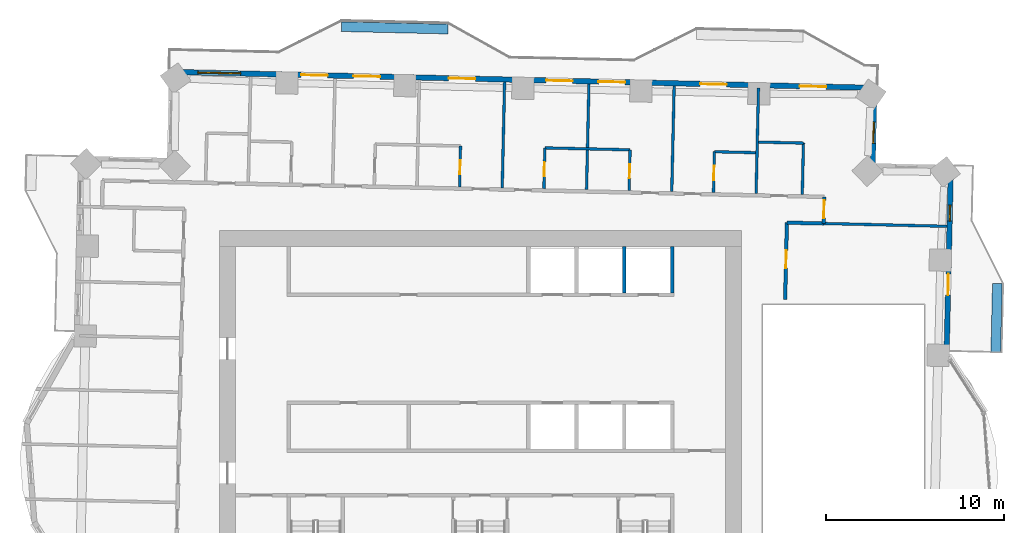
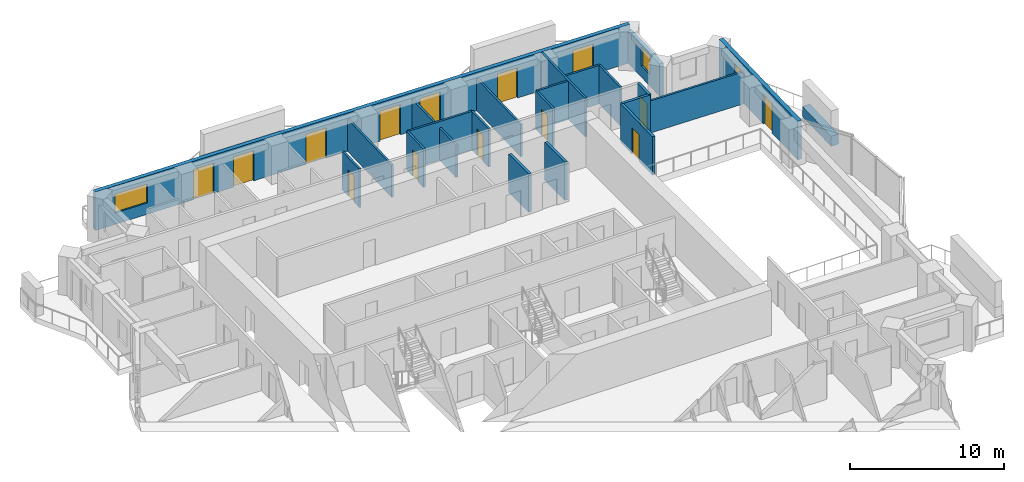
# One storey, part 9 of 14: 23 walls, 14 doors, 3 windows, 17 openings.
"""IFC4 building model written with IfcOpenShell, lengths in metres."""

from ifc_helpers import new_model, si_unit, direction, frame, frame_2d, origin, place, context, subcontext, project, spatial, rectangle, extrude, material, layer, layer_set, type_object, element, fill, save


model = new_model("IFC4")

# Units and contexts
model_context = context("Model", 3, precision=1e-05, world=origin(), true_north=direction((0.0, 1.0)))
body_context = subcontext(model_context, "Body", "Model", "MODEL_VIEW")
ifc_project = project(units=[si_unit("LENGTHUNIT", "METRE"), si_unit("AREAUNIT", "SQUARE_METRE"), si_unit("VOLUMEUNIT", "CUBIC_METRE"), si_unit("PLANEANGLEUNIT", "RADIAN"), si_unit("MASSUNIT", "GRAM", prefix="KILO")], contexts=[model_context])

# Site, building, storey
site_placement = place(None, origin())
site = spatial("IfcSite", under=ifc_project, at=site_placement, CompositionType="ELEMENT")
building_placement = place(site_placement, origin())
building = spatial("IfcBuilding", under=site, at=building_placement, Name="Mangrove Gate Tower", CompositionType="ELEMENT")
storey_placement = place(building_placement, frame((0.0, 0.0, 159.89990234375)))
storey = spatial("IfcBuildingStorey", under=building, at=storey_placement, Name="L40", CompositionType="ELEMENT", Elevation=159.89990234375)

# Walls
ifc_material_1 = material(Name="Concrete C60/75", Category="concrete")
ifc_layer_1 = layer(ifc_material_1, 0.199951171875)
ifc_layer_set_1 = layer_set([ifc_layer_1], Name="Core shaft wall 200 C60/75")
wall_type_1 = type_object("IfcWallType", Name="Core shaft wall 200 C60/75", PredefinedType="SHEAR", material=ifc_layer_set_1)
for number, where, z_axis, x_axis, name in (
    (1, (8.10009765625, 8.199951171875, 0.0), (0.0, 0.0, 1.0), (0.0, 1.0, 0.0), "WALL-L40-CORE-28"),
    (2, (10.800048828125, 8.199951171875, 0.0), (0.0, 0.0, 1.0), (0.0, 1.0, 0.0), "WALL-L40-CORE-29"),
):
    element("IfcWall", number, at=place(storey_placement, frame(where, z_axis=z_axis, x_axis=x_axis)), inside=storey, type_object=wall_type_1, Name=name, PredefinedType="SHEAR", context=body_context, shape_type="SweptSolid", body=[
        extrude(rectangle(XDim=2.60009765625, YDim=0.199951171875, at=frame_2d((1.300048828125, 0.0))), origin(), (0.0, 0.0, 1.0), 3.050048828125),
    ])

# Wall, opening, door
ifc_material_2 = material(Name="Gypsum board on steel stud, EI 60", Category="steel")
ifc_layer_2 = layer(ifc_material_2, 0.199951171875)
ifc_layer_set_2 = layer_set([ifc_layer_2], Name="Corridor wall EI 60")
wall_type_2 = type_object("IfcWallType", Name="Corridor wall EI 60", PredefinedType="PARTITIONING", material=ifc_layer_set_2)
wall_1_placement = place(storey_placement, frame((17.14892578125, 7.83203125, 0.0), z_axis=(0.0, 0.0, 1.0), x_axis=(0.022729111383, 0.999741660378, 0.0)))
wall_1 = element("IfcWall", 3, at=wall_1_placement, inside=storey, type_object=wall_type_2, Name="WALL-L40-048", PredefinedType="PARTITIONING", context=body_context, shape_type="SweptSolid", body=[
    extrude(rectangle(XDim=4.318115234375, YDim=0.199951171875, at=frame_2d((2.1591796875, 0.0))), origin(), (0.0, 0.0, 1.0), 3.050048828125),
])
opening_1_placement = place(wall_1_placement, frame((1.760986328125, 0.0, 0.0)))
opening_1 = element("IfcOpeningElement", 4, at=opening_1_placement, cuts=wall_1, Name="Opening AD", PredefinedType="OPENING", context=body_context, shape_type="SweptSolid", body=[
    extrude(rectangle(XDim=1.0, YDim=2.10009765625, at=frame_2d((0.5, 1.050048828125))), frame((0.0, 0.10986328125, 0.0), z_axis=(0.0, -1.0, 0.0), x_axis=(1.0, 0.0, 0.0)), (0.0, 0.0, 1.0), 0.219970703125),
])
ifc_material_3 = material(Name="Timber door leaf", Category="wood")
door_type_1 = type_object("IfcDoorType", Name="Amenity door 1000", OperationType="SINGLE_SWING_LEFT", PredefinedType="DOOR", material=ifc_material_3)
door_1_placement = place(opening_1_placement, origin())
door_1 = element("IfcDoor", 5, at=door_1_placement, inside=storey, type_object=door_type_1, Name="DOOR-L40-LNG-c3a", OperationType="SINGLE_SWING_RIGHT", OverallHeight=2.10009765625, OverallWidth=1.0, PredefinedType="DOOR", context=body_context, shape_type="SweptSolid", body=[
    extrude(rectangle(XDim=1.0, YDim=2.10009765625, at=frame_2d((0.5, 1.050048828125))), frame((0.0, 0.02490234375, 0.0), z_axis=(0.0, -1.0, 0.0), x_axis=(1.0, 0.0, 0.0)), (0.0, 0.0, 1.0), 0.050048828125),
])
fill(opening_1, door_1)

# Wall
wall_2_placement = place(storey_placement, frame((17.248046875, 12.14892578125, 0.0), z_axis=(0.0, 0.0, 1.0), x_axis=(0.999742931749, -0.02267312106, 0.0)))
element("IfcWall", 6, at=wall_2_placement, inside=storey, type_object=wall_type_2, Name="WALL-L40-054", PredefinedType="PARTITIONING", context=body_context, shape_type="SweptSolid", body=[
    extrude(rectangle(XDim=2.0673828125, YDim=0.199951171875, at=frame_2d((1.03369140625, 0.0))), origin(), (0.0, 0.0, 1.0), 3.050048828125),
])

# Wall, opening, door
wall_3_placement = place(storey_placement, frame((19.31689453125, 12.10205078125, 0.0), z_axis=(0.0, 0.0, 1.0), x_axis=(0.02279537805, 0.999740151609, 0.0)))
wall_3 = element("IfcWall", 7, at=wall_3_placement, inside=storey, type_object=wall_type_2, Name="WALL-L40-056", PredefinedType="PARTITIONING", context=body_context, shape_type="SweptSolid", body=[
    extrude(rectangle(XDim=1.49951171875, YDim=0.199951171875, at=frame_2d((0.749755859375, 0.0))), origin(), (0.0, 0.0, 1.0), 3.050048828125),
])
opening_2_placement = place(wall_3_placement, frame((0.300048828125, 0.0, 0.0)))
opening_2 = element("IfcOpeningElement", 8, at=opening_2_placement, cuts=wall_3, Name="Opening AD", PredefinedType="OPENING", context=body_context, shape_type="SweptSolid", body=[
    extrude(rectangle(XDim=1.0, YDim=2.10009765625, at=frame_2d((0.5, 1.050048828125))), frame((0.0, 0.10986328125, 0.0), z_axis=(0.0, -1.0, 0.0), x_axis=(1.0, 0.0, 0.0)), (0.0, 0.0, 1.0), 0.219970703125),
])
door_2_placement = place(opening_2_placement, origin())
door_2 = element("IfcDoor", 9, at=door_2_placement, inside=storey, type_object=door_type_1, Name="DOOR-L40-GAM-c3a", OperationType="SINGLE_SWING_LEFT", OverallHeight=2.10009765625, OverallWidth=1.0, PredefinedType="DOOR", context=body_context, shape_type="SweptSolid", body=[
    extrude(rectangle(XDim=1.0, YDim=2.10009765625, at=frame_2d((0.5, 1.050048828125))), frame((0.0, 0.02490234375, 0.0), z_axis=(0.0, -1.0, 0.0), x_axis=(1.0, 0.0, 0.0)), (0.0, 0.0, 1.0), 0.050048828125),
])
fill(opening_2, door_2)

# Wall, openings, door, window
ifc_material_4 = material(Name="Limestone", Category="masonry")
ifc_layer_3 = layer(ifc_material_4, 0.0400390625, Name="Limestone cladding")
ifc_material_5 = material(Name="Ventilated air gap")
ifc_layer_4 = layer(ifc_material_5, 0.0400390625, Name="Ventilated cavity")
ifc_material_6 = material(Name="Mineral wool insulation")
ifc_layer_5 = layer(ifc_material_6, 0.06005859375, Name="Insulation")
ifc_material_7 = material(Name="Breather membrane")
ifc_layer_6 = layer(ifc_material_7, 0.001953125, Name="Breather membrane")
ifc_material_8 = material(Name="Concrete C20/25 blockwork", Category="masonry")
ifc_layer_7 = layer(ifc_material_8, 0.14990234375, Name="Blockwork backing wall")
ifc_material_9 = material(Name="Gypsum plaster")
ifc_layer_8 = layer(ifc_material_9, 0.008056640625, Name="Internal plaster")
ifc_layer_set_3 = layer_set([ifc_layer_3, ifc_layer_4, ifc_layer_5, ifc_layer_6, ifc_layer_7, ifc_layer_8], Name="External wall 300 limestone cladding")
wall_type_3 = type_object("IfcWallType", Name="External wall 300 limestone cladding", PredefinedType="SOLIDWALL", material=ifc_layer_set_3)
wall_4_placement = place(storey_placement, frame((26.238037109375, 4.613037109375, 0.0), z_axis=(0.0, 0.0, 1.0), x_axis=(0.022761056451, 0.999740933597, 0.0)))
wall_4 = element("IfcWall", 10, at=wall_4_placement, inside=storey, type_object=wall_type_3, Name="WALL-L40-E2", PredefinedType="SOLIDWALL", context=body_context, shape_type="SweptSolid", body=[
    extrude(rectangle(XDim=10.629638671875, YDim=0.300048828125, at=frame_2d((5.31494140625, 0.0))), origin(), (0.0, 0.0, 1.0), 3.050048828125),
])
opening_3_placement = place(wall_4_placement, frame((3.452880859375, 0.0, 0.0)))
opening_3 = element("IfcOpeningElement", 11, at=opening_3_placement, cuts=wall_4, Name="Opening BD2", PredefinedType="OPENING", context=body_context, shape_type="SweptSolid", body=[
    extrude(rectangle(XDim=1.199951171875, YDim=2.39990234375, at=frame_2d((0.60009765625, 1.199951171875))), frame((0.0, 0.159912109375, 0.0), z_axis=(0.0, -1.0, 0.0), x_axis=(1.0, 0.0, 0.0)), (0.0, 0.0, 1.0), 0.320068359375),
])
opening_4_placement = place(wall_4_placement, frame((7.62890625, 0.0, 0.89990234375)))
opening_4 = element("IfcOpeningElement", 12, at=opening_4_placement, cuts=wall_4, Name="Opening W5", PredefinedType="OPENING", context=body_context, shape_type="SweptSolid", body=[
    extrude(rectangle(XDim=0.89990234375, YDim=1.5, at=frame_2d((0.449951171875, 0.75))), frame((0.0, 0.159912109375, 0.0), z_axis=(0.0, -1.0, 0.0), x_axis=(1.0, 0.0, 0.0)), (0.0, 0.0, 1.0), 0.320068359375),
])
ifc_material_10 = material(Name="Aluminium frame with laminated clear glass", Category="aluminium")
door_type_2 = type_object("IfcDoorType", Name="Balcony sliding door 1200x2400", OperationType="SLIDING_TO_LEFT", PredefinedType="DOOR", material=ifc_material_10)
door_3_placement = place(opening_3_placement, origin())
door_3 = element("IfcDoor", 13, at=door_3_placement, inside=storey, type_object=door_type_2, Name="DOOR-L40-E2-1", OperationType="SLIDING_TO_LEFT", OverallHeight=2.39990234375, OverallWidth=1.199951171875, PredefinedType="DOOR", context=body_context, shape_type="SweptSolid", body=[
    extrude(rectangle(XDim=1.199951171875, YDim=2.39990234375, at=frame_2d((0.60009765625, 1.199951171875))), frame((0.0, 0.02490234375, 0.0), z_axis=(0.0, -1.0, 0.0), x_axis=(1.0, 0.0, 0.0)), (0.0, 0.0, 1.0), 0.050048828125),
])
fill(opening_3, door_3)
ifc_material_11 = material(Name="Aluminium frame with double-glazed low-e glass", Category="aluminium")
window_type_1 = type_object("IfcWindowType", Name="Narrow window 900x1500", PartitioningType="SINGLE_PANEL", PredefinedType="WINDOW", material=ifc_material_11)
window_1_placement = place(opening_4_placement, origin())
window_1 = element("IfcWindow", 14, at=window_1_placement, inside=storey, type_object=window_type_1, Name="WIN-L40-E2-2", OverallHeight=1.5, OverallWidth=0.89990234375, PartitioningType="SINGLE_PANEL", PredefinedType="WINDOW", context=body_context, shape_type="SweptSolid", body=[
    extrude(rectangle(XDim=0.89990234375, YDim=1.5, at=frame_2d((0.449951171875, 0.75))), frame((0.0, 0.030029296875, 0.0), z_axis=(0.0, -1.0, 0.0), x_axis=(1.0, 0.0, 0.0)), (0.0, 0.0, 1.0), 0.06005859375),
])
fill(opening_4, window_1)

# Wall, opening, window
wall_5_placement = place(storey_placement, frame((22.0810546875, 15.340087890625, 0.0), z_axis=(0.0, 0.0, 1.0), x_axis=(0.022693676786, 0.999742465355, 0.0)))
wall_5 = element("IfcWall", 15, at=wall_5_placement, inside=storey, type_object=wall_type_3, Name="WALL-L40-E4", PredefinedType="SOLIDWALL", context=body_context, shape_type="SweptSolid", body=[
    extrude(rectangle(XDim=4.400146484375, YDim=0.300048828125, at=frame_2d((2.2001953125, 0.0))), origin(), (0.0, 0.0, 1.0), 2.550048828125),
])
opening_5_placement = place(wall_5_placement, frame((1.277099609375, 0.0, 0.89990234375)))
opening_5 = element("IfcOpeningElement", 16, at=opening_5_placement, cuts=wall_5, Name="Opening W1", PredefinedType="OPENING", context=body_context, shape_type="SweptSolid", body=[
    extrude(rectangle(XDim=1.199951171875, YDim=1.5, at=frame_2d((0.60009765625, 0.75))), frame((0.0, 0.159912109375, 0.0), z_axis=(0.0, -1.0, 0.0), x_axis=(1.0, 0.0, 0.0)), (0.0, 0.0, 1.0), 0.320068359375),
])
ifc_material_12 = material(Name="Aluminium frame with double-glazed low-e glass", Category="aluminium")
window_type_2 = type_object("IfcWindowType", Name="Side lite 1200x1500", PartitioningType="SINGLE_PANEL", PredefinedType="WINDOW", material=ifc_material_12)
window_2_placement = place(opening_5_placement, origin())
window_2 = element("IfcWindow", 17, at=window_2_placement, inside=storey, type_object=window_type_2, Name="WIN-L40-E4-1", OverallHeight=1.5, OverallWidth=1.199951171875, PartitioningType="SINGLE_PANEL", PredefinedType="WINDOW", context=body_context, shape_type="SweptSolid", body=[
    extrude(rectangle(XDim=1.199951171875, YDim=1.5, at=frame_2d((0.60009765625, 0.75))), frame((0.0, 0.030029296875, 0.0), z_axis=(0.0, -1.0, 0.0), x_axis=(1.0, 0.0, 0.0)), (0.0, 0.0, 1.0), 0.06005859375),
])
fill(opening_5, window_2)

# Wall, openings, doors, window
wall_6_placement = place(storey_placement, frame((22.180908203125, 19.739013671875, 0.0), z_axis=(0.0, 0.0, 1.0), x_axis=(-0.999742618326, 0.022686936846, 0.0)))
wall_6 = element("IfcWall", 18, at=wall_6_placement, inside=storey, type_object=wall_type_3, Name="WALL-L40-N5", PredefinedType="SOLIDWALL", context=body_context, shape_type="SweptSolid", body=[
    extrude(rectangle(XDim=39.580078125, YDim=0.300048828125, at=frame_2d((19.7900390625, 0.0))), origin(), (0.0, 0.0, 1.0), 3.050048828125),
])
opening_6_placement = place(wall_6_placement, frame((2.716064453125, 0.0, 0.0)))
opening_6 = element("IfcOpeningElement", 19, at=opening_6_placement, cuts=wall_6, Name="Opening BD1", PredefinedType="OPENING", context=body_context, shape_type="SweptSolid", body=[
    extrude(rectangle(XDim=1.5, YDim=2.39990234375, at=frame_2d((0.75, 1.199951171875))), frame((0.0, 0.159912109375, 0.0), z_axis=(0.0, -1.0, 0.0), x_axis=(1.0, 0.0, 0.0)), (0.0, 0.0, 1.0), 0.320068359375),
])
opening_7_placement = place(wall_6_placement, frame((8.325927734375, 0.0, 0.0)))
opening_7 = element("IfcOpeningElement", 20, at=opening_7_placement, cuts=wall_6, Name="Opening BD1", PredefinedType="OPENING", context=body_context, shape_type="SweptSolid", body=[
    extrude(rectangle(XDim=1.5, YDim=2.39990234375, at=frame_2d((0.75, 1.199951171875))), frame((0.0, 0.159912109375, 0.0), z_axis=(0.0, -1.0, 0.0), x_axis=(1.0, 0.0, 0.0)), (0.0, 0.0, 1.0), 0.320068359375),
])
opening_8_placement = place(wall_6_placement, frame((14.049072265625, 0.0, 0.0)))
opening_8 = element("IfcOpeningElement", 21, at=opening_8_placement, cuts=wall_6, Name="Opening BD1", PredefinedType="OPENING", context=body_context, shape_type="SweptSolid", body=[
    extrude(rectangle(XDim=1.5, YDim=2.39990234375, at=frame_2d((0.75, 1.199951171875))), frame((0.0, 0.159912109375, 0.0), z_axis=(0.0, -1.0, 0.0), x_axis=(1.0, 0.0, 0.0)), (0.0, 0.0, 1.0), 0.320068359375),
])
opening_9_placement = place(wall_6_placement, frame((16.998046875, 0.0, 0.0)))
opening_9 = element("IfcOpeningElement", 22, at=opening_9_placement, cuts=wall_6, Name="Opening BD1", PredefinedType="OPENING", context=body_context, shape_type="SweptSolid", body=[
    extrude(rectangle(XDim=1.5, YDim=2.39990234375, at=frame_2d((0.75, 1.199951171875))), frame((0.0, 0.159912109375, 0.0), z_axis=(0.0, -1.0, 0.0), x_axis=(1.0, 0.0, 0.0)), (0.0, 0.0, 1.0), 0.320068359375),
])
opening_10_placement = place(wall_6_placement, frame((22.47998046875, 0.0, 0.0)))
opening_10 = element("IfcOpeningElement", 23, at=opening_10_placement, cuts=wall_6, Name="Opening BD1", PredefinedType="OPENING", context=body_context, shape_type="SweptSolid", body=[
    extrude(rectangle(XDim=1.5, YDim=2.39990234375, at=frame_2d((0.75, 1.199951171875))), frame((0.0, 0.159912109375, 0.0), z_axis=(0.0, -1.0, 0.0), x_axis=(1.0, 0.0, 0.0)), (0.0, 0.0, 1.0), 0.320068359375),
])
opening_11_placement = place(wall_6_placement, frame((27.845947265625, 0.0, 0.0)))
opening_11 = element("IfcOpeningElement", 24, at=opening_11_placement, cuts=wall_6, Name="Opening BD1", PredefinedType="OPENING", context=body_context, shape_type="SweptSolid", body=[
    extrude(rectangle(XDim=1.5, YDim=2.39990234375, at=frame_2d((0.75, 1.199951171875))), frame((0.0, 0.159912109375, 0.0), z_axis=(0.0, -1.0, 0.0), x_axis=(1.0, 0.0, 0.0)), (0.0, 0.0, 1.0), 0.320068359375),
])
opening_12_placement = place(wall_6_placement, frame((30.7939453125, 0.0, 0.0)))
opening_12 = element("IfcOpeningElement", 25, at=opening_12_placement, cuts=wall_6, Name="Opening BD1", PredefinedType="OPENING", context=body_context, shape_type="SweptSolid", body=[
    extrude(rectangle(XDim=1.5, YDim=2.39990234375, at=frame_2d((0.75, 1.199951171875))), frame((0.0, 0.159912109375, 0.0), z_axis=(0.0, -1.0, 0.0), x_axis=(1.0, 0.0, 0.0)), (0.0, 0.0, 1.0), 0.320068359375),
])
opening_13_placement = place(wall_6_placement, frame((35.705078125, 0.0, 0.89990234375)))
opening_13 = element("IfcOpeningElement", 26, at=opening_13_placement, cuts=wall_6, Name="Opening W2", PredefinedType="OPENING", context=body_context, shape_type="SweptSolid", body=[
    extrude(rectangle(XDim=2.39990234375, YDim=1.5, at=frame_2d((1.199951171875, 0.75))), frame((0.0, 0.159912109375, 0.0), z_axis=(0.0, -1.0, 0.0), x_axis=(1.0, 0.0, 0.0)), (0.0, 0.0, 1.0), 0.320068359375),
])
ifc_material_13 = material(Name="Aluminium frame with laminated clear glass", Category="aluminium")
door_type_3 = type_object("IfcDoorType", Name="Balcony sliding door 1500x2400", OperationType="SLIDING_TO_LEFT", PredefinedType="DOOR", material=ifc_material_13)
door_4_placement = place(opening_6_placement, origin())
door_4 = element("IfcDoor", 27, at=door_4_placement, inside=storey, type_object=door_type_3, Name="DOOR-L40-N5-1", OperationType="SLIDING_TO_LEFT", OverallHeight=2.39990234375, OverallWidth=1.5, PredefinedType="DOOR", context=body_context, shape_type="SweptSolid", body=[
    extrude(rectangle(XDim=1.5, YDim=2.39990234375, at=frame_2d((0.75, 1.199951171875))), frame((0.0, 0.02490234375, 0.0), z_axis=(0.0, -1.0, 0.0), x_axis=(1.0, 0.0, 0.0)), (0.0, 0.0, 1.0), 0.050048828125),
])
fill(opening_6, door_4)
door_5_placement = place(opening_7_placement, origin())
door_5 = element("IfcDoor", 28, at=door_5_placement, inside=storey, type_object=door_type_3, Name="DOOR-L40-N5-2", OperationType="SLIDING_TO_LEFT", OverallHeight=2.39990234375, OverallWidth=1.5, PredefinedType="DOOR", context=body_context, shape_type="SweptSolid", body=[
    extrude(rectangle(XDim=1.5, YDim=2.39990234375, at=frame_2d((0.75, 1.199951171875))), frame((0.0, 0.02490234375, 0.0), z_axis=(0.0, -1.0, 0.0), x_axis=(1.0, 0.0, 0.0)), (0.0, 0.0, 1.0), 0.050048828125),
])
fill(opening_7, door_5)
door_6_placement = place(opening_8_placement, origin())
door_6 = element("IfcDoor", 29, at=door_6_placement, inside=storey, type_object=door_type_3, Name="DOOR-L40-N5-3", OperationType="SLIDING_TO_LEFT", OverallHeight=2.39990234375, OverallWidth=1.5, PredefinedType="DOOR", context=body_context, shape_type="SweptSolid", body=[
    extrude(rectangle(XDim=1.5, YDim=2.39990234375, at=frame_2d((0.75, 1.199951171875))), frame((0.0, 0.02490234375, 0.0), z_axis=(0.0, -1.0, 0.0), x_axis=(1.0, 0.0, 0.0)), (0.0, 0.0, 1.0), 0.050048828125),
])
fill(opening_8, door_6)
door_7_placement = place(opening_9_placement, origin())
door_7 = element("IfcDoor", 30, at=door_7_placement, inside=storey, type_object=door_type_3, Name="DOOR-L40-N5-4", OperationType="SLIDING_TO_LEFT", OverallHeight=2.39990234375, OverallWidth=1.5, PredefinedType="DOOR", context=body_context, shape_type="SweptSolid", body=[
    extrude(rectangle(XDim=1.5, YDim=2.39990234375, at=frame_2d((0.75, 1.199951171875))), frame((0.0, 0.02490234375, 0.0), z_axis=(0.0, -1.0, 0.0), x_axis=(1.0, 0.0, 0.0)), (0.0, 0.0, 1.0), 0.050048828125),
])
fill(opening_9, door_7)
door_8_placement = place(opening_10_placement, origin())
door_8 = element("IfcDoor", 31, at=door_8_placement, inside=storey, type_object=door_type_3, Name="DOOR-L40-N5-5", OperationType="SLIDING_TO_LEFT", OverallHeight=2.39990234375, OverallWidth=1.5, PredefinedType="DOOR", context=body_context, shape_type="SweptSolid", body=[
    extrude(rectangle(XDim=1.5, YDim=2.39990234375, at=frame_2d((0.75, 1.199951171875))), frame((0.0, 0.02490234375, 0.0), z_axis=(0.0, -1.0, 0.0), x_axis=(1.0, 0.0, 0.0)), (0.0, 0.0, 1.0), 0.050048828125),
])
fill(opening_10, door_8)
door_9_placement = place(opening_11_placement, origin())
door_9 = element("IfcDoor", 32, at=door_9_placement, inside=storey, type_object=door_type_3, Name="DOOR-L40-N5-6", OperationType="SLIDING_TO_LEFT", OverallHeight=2.39990234375, OverallWidth=1.5, PredefinedType="DOOR", context=body_context, shape_type="SweptSolid", body=[
    extrude(rectangle(XDim=1.5, YDim=2.39990234375, at=frame_2d((0.75, 1.199951171875))), frame((0.0, 0.02490234375, 0.0), z_axis=(0.0, -1.0, 0.0), x_axis=(1.0, 0.0, 0.0)), (0.0, 0.0, 1.0), 0.050048828125),
])
fill(opening_11, door_9)
door_10_placement = place(opening_12_placement, origin())
door_10 = element("IfcDoor", 33, at=door_10_placement, inside=storey, type_object=door_type_3, Name="DOOR-L40-N5-7", OperationType="SLIDING_TO_LEFT", OverallHeight=2.39990234375, OverallWidth=1.5, PredefinedType="DOOR", context=body_context, shape_type="SweptSolid", body=[
    extrude(rectangle(XDim=1.5, YDim=2.39990234375, at=frame_2d((0.75, 1.199951171875))), frame((0.0, 0.02490234375, 0.0), z_axis=(0.0, -1.0, 0.0), x_axis=(1.0, 0.0, 0.0)), (0.0, 0.0, 1.0), 0.050048828125),
])
fill(opening_12, door_10)
ifc_material_14 = material(Name="Aluminium frame with double-glazed low-e glass", Category="aluminium")
window_type_3 = type_object("IfcWindowType", Name="Corner room window 2400x1500", PartitioningType="DOUBLE_PANEL_VERTICAL", PredefinedType="WINDOW", material=ifc_material_14)
window_3_placement = place(opening_13_placement, origin())
window_3 = element("IfcWindow", 34, at=window_3_placement, inside=storey, type_object=window_type_3, Name="WIN-L40-N5-8", OverallHeight=1.5, OverallWidth=2.39990234375, PartitioningType="DOUBLE_PANEL_VERTICAL", PredefinedType="WINDOW", context=body_context, shape_type="SweptSolid", body=[
    extrude(rectangle(XDim=2.39990234375, YDim=1.5, at=frame_2d((1.199951171875, 0.75))), frame((0.0, 0.030029296875, 0.0), z_axis=(0.0, -1.0, 0.0), x_axis=(1.0, 0.0, 0.0)), (0.0, 0.0, 1.0), 0.06005859375),
])
fill(opening_13, window_3)

# Wall
ifc_material_15 = material(Name="Gypsum board on steel stud, EI 60", Category="steel")
ifc_layer_9 = layer(ifc_material_15, 0.14990234375)
ifc_layer_set_4 = layer_set([ifc_layer_9], Name="Party wall 150 EI 60")
wall_type_4 = type_object("IfcWallType", Name="Party wall 150 EI 60", PredefinedType="PARTITIONING", material=ifc_layer_set_4)
wall_7_placement = place(storey_placement, frame((19.31494140625, 12.10205078125, 0.0), z_axis=(0.0, 0.0, 1.0), x_axis=(0.999741072391, -0.022754959327, 0.0)))
element("IfcWall", 35, at=wall_7_placement, inside=storey, type_object=wall_type_4, Name="WALL-L40-055", PredefinedType="PARTITIONING", context=body_context, shape_type="SweptSolid", body=[
    extrude(rectangle(XDim=6.941650390625, YDim=0.14990234375, at=frame_2d((3.470703125, 0.0))), origin(), (0.0, 0.0, 1.0), 2.550048828125),
])

# Wall, opening, door
wall_8_placement = place(storey_placement, frame((-1.181884765625, 14.1669921875, 0.0), z_axis=(0.0, 0.0, 1.0), x_axis=(0.022603288534, 0.999744513037, 0.0)))
wall_8 = element("IfcWall", 36, at=wall_8_placement, inside=storey, type_object=wall_type_4, Name="WALL-L40-064", PredefinedType="PARTITIONING", context=body_context, shape_type="SweptSolid", body=[
    extrude(rectangle(XDim=2.300537109375, YDim=0.14990234375, at=frame_2d((1.150390625, 0.0))), origin(), (0.0, 0.0, 1.0), 3.050048828125),
])
opening_14_placement = place(wall_8_placement, frame((0.699951171875, 0.0, 0.0)))
opening_14 = element("IfcOpeningElement", 37, at=opening_14_placement, cuts=wall_8, Name="Opening ED", PredefinedType="OPENING", context=body_context, shape_type="SweptSolid", body=[
    extrude(rectangle(XDim=0.800048828125, YDim=2.10009765625, at=frame_2d((0.39990234375, 1.050048828125))), frame((0.0, 0.0849609375, 0.0), z_axis=(0.0, -1.0, 0.0), x_axis=(1.0, 0.0, 0.0)), (0.0, 0.0, 1.0), 0.169921875),
])
ifc_material_16 = material(Name="Timber door leaf", Category="wood")
door_type_4 = type_object("IfcDoorType", Name="En-suite door 800", OperationType="SINGLE_SWING_LEFT", PredefinedType="DOOR", material=ifc_material_16)
door_11_placement = place(opening_14_placement, origin())
door_11 = element("IfcDoor", 38, at=door_11_placement, inside=storey, type_object=door_type_4, Name="DOOR-L40-ENS-c412", OperationType="SINGLE_SWING_RIGHT", OverallHeight=2.10009765625, OverallWidth=0.800048828125, PredefinedType="DOOR", context=body_context, shape_type="SweptSolid", body=[
    extrude(rectangle(XDim=0.800048828125, YDim=2.10009765625, at=frame_2d((0.39990234375, 1.050048828125))), frame((0.0, 0.02490234375, 0.0), z_axis=(0.0, -1.0, 0.0), x_axis=(1.0, 0.0, 0.0)), (0.0, 0.0, 1.0), 0.050048828125),
])
fill(opening_14, door_11)

# Wall
wall_9_placement = place(storey_placement, frame((1.218017578125, 14.113037109375, 0.0), z_axis=(0.0, 0.0, 1.0), x_axis=(0.022688785847, 0.999742576365, 0.0)))
element("IfcWall", 39, at=wall_9_placement, inside=storey, type_object=wall_type_4, Name="WALL-L40-065", PredefinedType="PARTITIONING", context=body_context, shape_type="SweptSolid", body=[
    extrude(rectangle(XDim=5.950439453125, YDim=0.14990234375, at=frame_2d((2.97509765625, 0.0))), origin(), (0.0, 0.0, 1.0), 2.550048828125),
])

# Wall, opening, door
wall_10_placement = place(storey_placement, frame((3.56689453125, 14.05908203125, 0.0), z_axis=(0.0, 0.0, 1.0), x_axis=(0.022605686808, 0.999744458811, 0.0)))
wall_10 = element("IfcWall", 40, at=wall_10_placement, inside=storey, type_object=wall_type_4, Name="WALL-L40-066", PredefinedType="PARTITIONING", context=body_context, shape_type="SweptSolid", body=[
    extrude(rectangle(XDim=2.30029296875, YDim=0.14990234375, at=frame_2d((1.150146484375, 0.0))), origin(), (0.0, 0.0, 1.0), 3.050048828125),
])
opening_15_placement = place(wall_10_placement, frame((0.699951171875, 0.0, 0.0)))
opening_15 = element("IfcOpeningElement", 41, at=opening_15_placement, cuts=wall_10, Name="Opening ED", PredefinedType="OPENING", context=body_context, shape_type="SweptSolid", body=[
    extrude(rectangle(XDim=0.800048828125, YDim=2.10009765625, at=frame_2d((0.39990234375, 1.050048828125))), frame((0.0, 0.0849609375, 0.0), z_axis=(0.0, -1.0, 0.0), x_axis=(1.0, 0.0, 0.0)), (0.0, 0.0, 1.0), 0.169921875),
])
door_12_placement = place(opening_15_placement, origin())
door_12 = element("IfcDoor", 42, at=door_12_placement, inside=storey, type_object=door_type_4, Name="DOOR-L40-ENS-c411", OperationType="SINGLE_SWING_LEFT", OverallHeight=2.10009765625, OverallWidth=0.800048828125, PredefinedType="DOOR", context=body_context, shape_type="SweptSolid", body=[
    extrude(rectangle(XDim=0.800048828125, YDim=2.10009765625, at=frame_2d((0.39990234375, 1.050048828125))), frame((0.0, 0.02490234375, 0.0), z_axis=(0.0, -1.0, 0.0), x_axis=(1.0, 0.0, 0.0)), (0.0, 0.0, 1.0), 0.050048828125),
])
fill(opening_15, door_12)

# Wall
wall_11_placement = place(storey_placement, frame((5.966064453125, 14.0048828125, 0.0), z_axis=(0.0, 0.0, 1.0), x_axis=(0.022687855237, 0.999742597484, 0.0)))
element("IfcWall", 43, at=wall_11_placement, inside=storey, type_object=wall_type_4, Name="WALL-L40-067", PredefinedType="PARTITIONING", context=body_context, shape_type="SweptSolid", body=[
    extrude(rectangle(XDim=5.95068359375, YDim=0.14990234375, at=frame_2d((2.975341796875, 0.0))), origin(), (0.0, 0.0, 1.0), 2.550048828125),
])

# Wall, opening, door
wall_12_placement = place(storey_placement, frame((8.365966796875, 13.950927734375, 0.0), z_axis=(0.0, 0.0, 1.0), x_axis=(0.022612884682, 0.999744296031, 0.0)))
wall_12 = element("IfcWall", 44, at=wall_12_placement, inside=storey, type_object=wall_type_4, Name="WALL-L40-068", PredefinedType="PARTITIONING", context=body_context, shape_type="SweptSolid", body=[
    extrude(rectangle(XDim=2.299560546875, YDim=0.14990234375, at=frame_2d((1.14990234375, 0.0))), origin(), (0.0, 0.0, 1.0), 3.050048828125),
])
opening_16_placement = place(wall_12_placement, frame((0.699951171875, 0.0, 0.0)))
opening_16 = element("IfcOpeningElement", 45, at=opening_16_placement, cuts=wall_12, Name="Opening ED", PredefinedType="OPENING", context=body_context, shape_type="SweptSolid", body=[
    extrude(rectangle(XDim=0.800048828125, YDim=2.10009765625, at=frame_2d((0.39990234375, 1.050048828125))), frame((0.0, 0.0849609375, 0.0), z_axis=(0.0, -1.0, 0.0), x_axis=(1.0, 0.0, 0.0)), (0.0, 0.0, 1.0), 0.169921875),
])
door_13_placement = place(opening_16_placement, origin())
door_13 = element("IfcDoor", 46, at=door_13_placement, inside=storey, type_object=door_type_4, Name="DOOR-L40-ENS-c410", OperationType="SINGLE_SWING_RIGHT", OverallHeight=2.10009765625, OverallWidth=0.800048828125, PredefinedType="DOOR", context=body_context, shape_type="SweptSolid", body=[
    extrude(rectangle(XDim=0.800048828125, YDim=2.10009765625, at=frame_2d((0.39990234375, 1.050048828125))), frame((0.0, 0.02490234375, 0.0), z_axis=(0.0, -1.0, 0.0), x_axis=(1.0, 0.0, 0.0)), (0.0, 0.0, 1.0), 0.050048828125),
])
fill(opening_16, door_13)

# Wall
wall_13_placement = place(storey_placement, frame((10.764892578125, 13.89599609375, 0.0), z_axis=(0.0, 0.0, 1.0), x_axis=(0.022688785847, 0.999742576365, 0.0)))
element("IfcWall", 47, at=wall_13_placement, inside=storey, type_object=wall_type_4, Name="WALL-L40-069", PredefinedType="PARTITIONING", context=body_context, shape_type="SweptSolid", body=[
    extrude(rectangle(XDim=5.950439453125, YDim=0.14990234375, at=frame_2d((2.97509765625, 0.0))), origin(), (0.0, 0.0, 1.0), 2.550048828125),
])

# Wall, opening, door
wall_14_placement = place(storey_placement, frame((13.114013671875, 13.843017578125, 0.0), z_axis=(0.0, 0.0, 1.0), x_axis=(0.023037316498, 0.999734605807, 0.0)))
wall_14 = element("IfcWall", 48, at=wall_14_placement, inside=storey, type_object=wall_type_4, Name="WALL-L40-070", PredefinedType="PARTITIONING", context=body_context, shape_type="SweptSolid", body=[
    extrude(rectangle(XDim=2.299560546875, YDim=0.14990234375, at=frame_2d((1.14990234375, 0.0))), origin(), (0.0, 0.0, 1.0), 3.050048828125),
])
opening_17_placement = place(wall_14_placement, frame((0.699951171875, 0.0, 0.0)))
opening_17 = element("IfcOpeningElement", 49, at=opening_17_placement, cuts=wall_14, Name="Opening ED", PredefinedType="OPENING", context=body_context, shape_type="SweptSolid", body=[
    extrude(rectangle(XDim=0.800048828125, YDim=2.10009765625, at=frame_2d((0.39990234375, 1.050048828125))), frame((0.0, 0.0849609375, 0.0), z_axis=(0.0, -1.0, 0.0), x_axis=(1.0, 0.0, 0.0)), (0.0, 0.0, 1.0), 0.169921875),
])
door_14_placement = place(opening_17_placement, origin())
door_14 = element("IfcDoor", 50, at=door_14_placement, inside=storey, type_object=door_type_4, Name="DOOR-L40-ENS-c309", OperationType="SINGLE_SWING_LEFT", OverallHeight=2.10009765625, OverallWidth=0.800048828125, PredefinedType="DOOR", context=body_context, shape_type="SweptSolid", body=[
    extrude(rectangle(XDim=0.800048828125, YDim=2.10009765625, at=frame_2d((0.39990234375, 1.050048828125))), frame((0.0, 0.02490234375, 0.0), z_axis=(0.0, -1.0, 0.0), x_axis=(1.0, 0.0, 0.0)), (0.0, 0.0, 1.0), 0.050048828125),
])
fill(opening_17, door_14)

# Walls
wall_15_placement = place(storey_placement, frame((15.513916015625, 13.7880859375, 0.0), z_axis=(0.0, 0.0, 1.0), x_axis=(0.022688785847, 0.999742576365, 0.0)))
element("IfcWall", 51, at=wall_15_placement, inside=storey, type_object=wall_type_4, Name="WALL-L40-071", PredefinedType="PARTITIONING", context=body_context, shape_type="SweptSolid", body=[
    extrude(rectangle(XDim=5.950439453125, YDim=0.14990234375, at=frame_2d((2.97509765625, 0.0))), origin(), (0.0, 0.0, 1.0), 3.050048828125),
])
wall_16_placement = place(storey_placement, frame((18.113037109375, 13.72900390625, 0.0), z_axis=(0.0, 0.0, 1.0), x_axis=(0.022725229174, 0.999741748633, 0.0)))
element("IfcWall", 52, at=wall_16_placement, inside=storey, type_object=wall_type_4, Name="WALL-L40-072", PredefinedType="PARTITIONING", context=body_context, shape_type="SweptSolid", body=[
    extrude(rectangle(XDim=2.900634765625, YDim=0.14990234375, at=frame_2d((1.4501953125, 0.0))), origin(), (0.0, 0.0, 1.0), 3.050048828125),
])
wall_17_placement = place(storey_placement, frame((3.618896484375, 16.35888671875, 0.0), z_axis=(0.0, 0.0, 1.0), x_axis=(0.999742701292, -0.022683280499, 0.0)))
element("IfcWall", 53, at=wall_17_placement, inside=storey, type_object=wall_type_4, Name="WALL-L40-075", PredefinedType="PARTITIONING", context=body_context, shape_type="SweptSolid", body=[
    extrude(rectangle(XDim=4.80029296875, YDim=0.14990234375, at=frame_2d((2.400146484375, 0.0))), origin(), (0.0, 0.0, 1.0), 3.050048828125),
])
wall_18_placement = place(storey_placement, frame((13.1669921875, 16.14208984375, 0.0), z_axis=(0.0, 0.0, 1.0), x_axis=(0.999740260747, -0.02279059109, 0.0)))
element("IfcWall", 54, at=wall_18_placement, inside=storey, type_object=wall_type_4, Name="WALL-L40-076", PredefinedType="PARTITIONING", context=body_context, shape_type="SweptSolid", body=[
    extrude(rectangle(XDim=2.324462890625, YDim=0.14990234375, at=frame_2d((1.162109375, 0.0))), origin(), (0.0, 0.0, 1.0), 3.050048828125),
])
wall_19_placement = place(storey_placement, frame((15.655029296875, 16.68603515625, 0.0), z_axis=(0.0, 0.0, 1.0), x_axis=(0.99974392816, -0.022629142889, 0.0)))
element("IfcWall", 55, at=wall_19_placement, inside=storey, type_object=wall_type_4, Name="WALL-L40-078", PredefinedType="PARTITIONING", context=body_context, shape_type="SweptSolid", body=[
    extrude(rectangle(XDim=2.524658203125, YDim=0.14990234375, at=frame_2d((1.26220703125, 0.0))), origin(), (0.0, 0.0, 1.0), 3.050048828125),
])
ifc_material_17 = material(Name="Concrete C32/40", Category="concrete")
ifc_layer_10 = layer(ifc_material_17, 0.199951171875, Name="Planter trough wall")
ifc_material_18 = material(Name="Bituminous waterproofing membrane")
ifc_layer_11 = layer(ifc_material_18, 0.0048828125, Name="Waterproofing")
ifc_material_19 = material(Name="Drainage board and gravel")
ifc_layer_12 = layer(ifc_material_19, 0.044921875, Name="Drainage layer")
ifc_material_20 = material(Name="Planting soil")
ifc_layer_13 = layer(ifc_material_20, 0.300048828125, Name="Growing medium")
ifc_layer_set_5 = layer_set([ifc_layer_10, ifc_layer_11, ifc_layer_12, ifc_layer_13], Name="Planter wall 550 C32/40")
wall_type_5 = type_object("IfcWallType", Name="Planter wall 550 C32/40", PredefinedType="USERDEFINED", material=ifc_layer_set_5)
wall_20_placement = place(storey_placement, frame((29.010009765625, 4.85498046875, 0.0), z_axis=(0.0, 0.0, 1.0), x_axis=(0.022681332769, 0.999742745482, 0.0)))
element("IfcWall", 56, at=wall_20_placement, inside=storey, type_object=wall_type_5, Name="PLANTER L40 E1.1", ObjectType="PLANTER", PredefinedType="USERDEFINED", context=body_context, shape_type="SweptSolid", body=[
    extrude(rectangle(XDim=3.875, YDim=0.550048828125, at=frame_2d((1.9375, 0.0))), origin(), (0.0, 0.0, 1.0), 0.800048828125),
])
wall_21_placement = place(storey_placement, frame((-7.839111328125, 23.18603515625, 0.0), z_axis=(0.0, 0.0, 1.0), x_axis=(0.999739477659, -0.022824916448, 0.0)))
element("IfcWall", 57, at=wall_21_placement, inside=storey, type_object=wall_type_5, Name="PLANTER L40 N1.1", ObjectType="PLANTER", PredefinedType="USERDEFINED", context=body_context, shape_type="SweptSolid", body=[
    extrude(rectangle(XDim=6.00048828125, YDim=0.550048828125, at=frame_2d((3.000244140625, 0.0))), origin(), (0.0, 0.0, 1.0), 0.800048828125),
])

save(model, "model.ifc")
